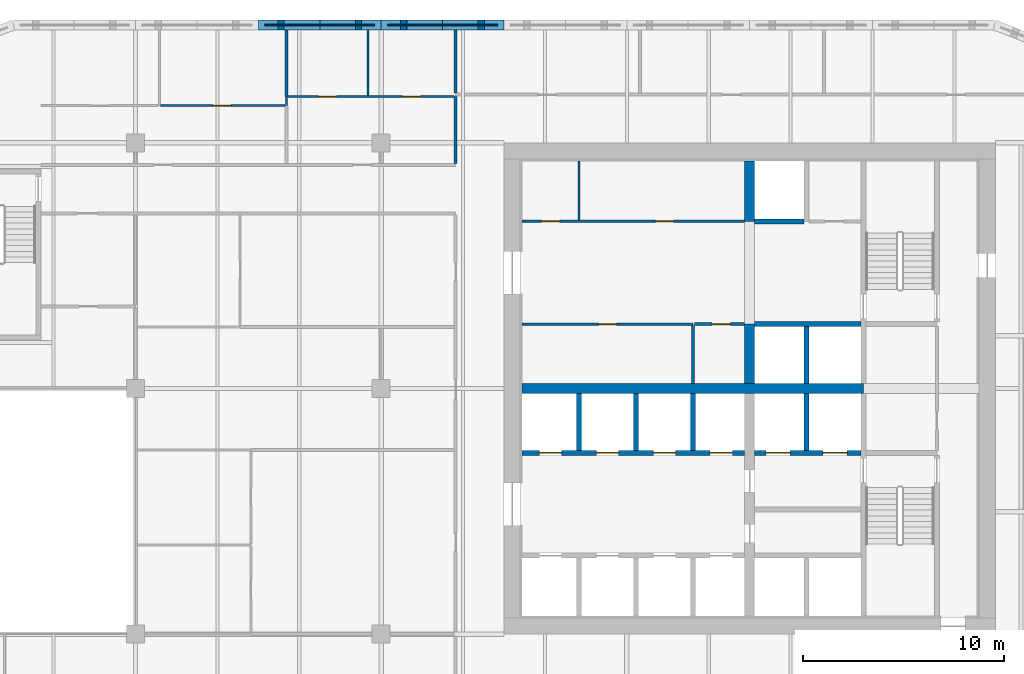
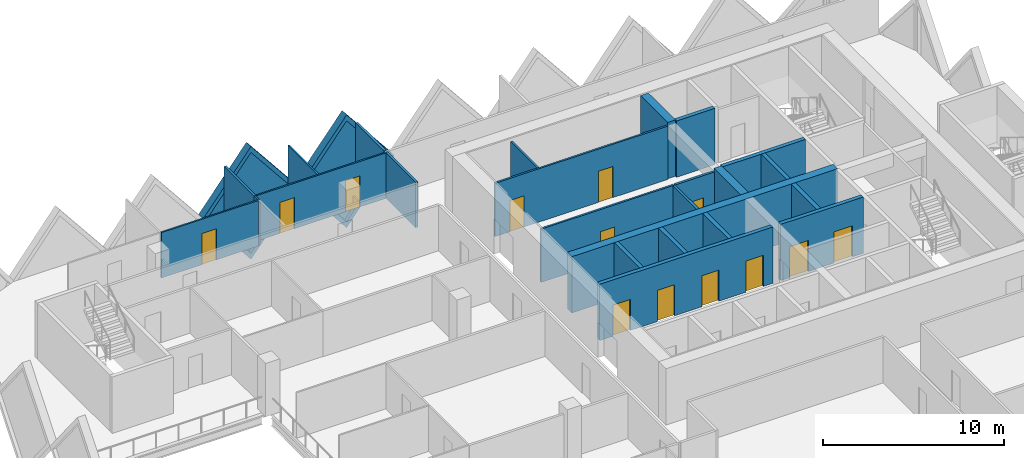
# One storey, part 9 of 18: 26 walls, 13 doors, 2 plates, 15 openings.
"""IFC4 building model written with IfcOpenShell, lengths in metres."""

from ifc_helpers import new_model, si_unit, direction, frame, frame_2d, origin, place, context, subcontext, project, spatial, polyline, rectangle, outline, extrude, faceted_brep, source, transform, mapped, material, layer, layer_set, type_object, element, fill, save


model = new_model("IFC4")

# Units and contexts
model_context = context("Model", 3, precision=1e-05, world=origin(), true_north=direction((0.0, 1.0)))
body_context = subcontext(model_context, "Body", "Model", "MODEL_VIEW")
ifc_project = project(units=[si_unit("LENGTHUNIT", "METRE"), si_unit("AREAUNIT", "SQUARE_METRE"), si_unit("VOLUMEUNIT", "CUBIC_METRE"), si_unit("PLANEANGLEUNIT", "RADIAN"), si_unit("MASSUNIT", "GRAM", prefix="KILO")], contexts=[model_context])

# Site, building, storey
site_placement = place(None, origin())
site = spatial("IfcSite", under=ifc_project, at=site_placement, CompositionType="ELEMENT")
building_placement = place(site_placement, origin())
building = spatial("IfcBuilding", under=site, at=building_placement, Name="Tessera Gate Towers", CompositionType="ELEMENT")
storey_placement = place(building_placement, frame((0.0, 0.0, 95.199951171875)))
storey = spatial("IfcBuildingStorey", under=building, at=storey_placement, Name="L23", CompositionType="ELEMENT", Elevation=95.199951171875)

# Wall, openings, doors
ifc_material_1 = material(Name="Concrete C40/50", Category="concrete")
ifc_layer_1 = layer(ifc_material_1, 0.25)
ifc_layer_set_1 = layer_set([ifc_layer_1], Name="CORE ENCLOSURE WALL 250")
wall_type_1 = type_object("IfcWallType", Name="CORE ENCLOSURE WALL 250", PredefinedType="SOLIDWALL", material=ifc_layer_set_1)
wall_1_placement = place(storey_placement, frame((42.449951171875, 33.39990234375, 0.0), z_axis=(0.0, 0.0, 1.0), x_axis=(-1.0, 0.0, 0.0)))
wall_1 = element("IfcWall", 1, at=wall_1_placement, inside=storey, type_object=wall_type_1, Name="L23 shaft and stair enclosure wall", PredefinedType="SOLIDWALL", context=body_context, shape_type="SweptSolid", body=[
    extrude(rectangle(XDim=11.050048828125, YDim=0.25, at=frame_2d((5.52490234375, 0.0))), origin(), (0.0, 0.0, 1.0), 3.800048828125),
])
shared_shape_1 = source(origin(), body_context, "Body", "SweptSolid", [
    extrude(rectangle(XDim=1.10009765625, YDim=2.10009765625, at=frame_2d((0.550048828125, 1.050048828125))), frame((0.0, 0.135009765625, 0.0), z_axis=(0.0, -1.0, 0.0), x_axis=(1.0, 0.0, 0.0)), (0.0, 0.0, 1.0), 0.27001953125),
])
opening_1_placement = place(wall_1_placement, frame((9.08740234375, 0.0, 0.0)))
opening_1 = element("IfcOpeningElement", 2, at=opening_1_placement, cuts=wall_1, Name="Opening LD-LR5", PredefinedType="OPENING", context=body_context, shape_type="MappedRepresentation", body=[
    mapped(shared_shape_1, transform((0.0, 0.0, 0.0), scale=1.0)),
])
opening_2_placement = place(wall_1_placement, frame((6.262451171875, 0.0, 0.0)))
opening_2 = element("IfcOpeningElement", 3, at=opening_2_placement, cuts=wall_1, Name="Opening LD-LR6", PredefinedType="OPENING", context=body_context, shape_type="MappedRepresentation", body=[
    mapped(shared_shape_1, transform((0.0, 0.0, 0.0), scale=1.0)),
])
opening_3_placement = place(wall_1_placement, frame((3.4375, 0.0, 0.0)))
opening_3 = element("IfcOpeningElement", 4, at=opening_3_placement, cuts=wall_1, Name="Opening LD-LR7", PredefinedType="OPENING", context=body_context, shape_type="MappedRepresentation", body=[
    mapped(shared_shape_1, transform((0.0, 0.0, 0.0), scale=1.0)),
])
opening_4_placement = place(wall_1_placement, frame((0.612548828125, 0.0, 0.0)))
opening_4 = element("IfcOpeningElement", 5, at=opening_4_placement, cuts=wall_1, Name="Opening LD-LR8", PredefinedType="OPENING", context=body_context, shape_type="MappedRepresentation", body=[
    mapped(shared_shape_1, transform((0.0, 0.0, 0.0), scale=1.0)),
])
ifc_material_2 = material(Name="Stainless steel", Category="steel")
door_type_1 = type_object("IfcDoorType", Name="CORE DOOR LD 1100x2100", OperationType="DOUBLE_DOOR_SLIDING", PredefinedType="DOOR", material=ifc_material_2)
shared_shape_2 = source(origin(), body_context, "Body", "SweptSolid", [
    extrude(rectangle(XDim=1.10009765625, YDim=2.10009765625, at=frame_2d((0.550048828125, 1.050048828125))), frame((0.0, 0.02490234375, 0.0), z_axis=(0.0, -1.0, 0.0), x_axis=(1.0, 0.0, 0.0)), (0.0, 0.0, 1.0), 0.050048828125),
])
door_1_placement = place(opening_1_placement, origin())
door_1 = element("IfcDoor", 6, at=door_1_placement, inside=storey, type_object=door_type_1, Name="Landing door LR5 L23", OperationType="DOUBLE_DOOR_SLIDING", OverallHeight=2.10009765625, OverallWidth=1.10009765625, PredefinedType="DOOR", context=body_context, shape_type="MappedRepresentation", body=[
    mapped(shared_shape_2, transform((0.0, 0.0, 0.0), scale=1.0)),
])
fill(opening_1, door_1)
door_2_placement = place(opening_2_placement, origin())
door_2 = element("IfcDoor", 7, at=door_2_placement, inside=storey, type_object=door_type_1, Name="Landing door LR6 L23", OperationType="DOUBLE_DOOR_SLIDING", OverallHeight=2.10009765625, OverallWidth=1.10009765625, PredefinedType="DOOR", context=body_context, shape_type="MappedRepresentation", body=[
    mapped(shared_shape_2, transform((0.0, 0.0, 0.0), scale=1.0)),
])
fill(opening_2, door_2)
door_3_placement = place(opening_3_placement, origin())
door_3 = element("IfcDoor", 8, at=door_3_placement, inside=storey, type_object=door_type_1, Name="Landing door LR7 L23", OperationType="DOUBLE_DOOR_SLIDING", OverallHeight=2.10009765625, OverallWidth=1.10009765625, PredefinedType="DOOR", context=body_context, shape_type="MappedRepresentation", body=[
    mapped(shared_shape_2, transform((0.0, 0.0, 0.0), scale=1.0)),
])
fill(opening_3, door_3)
door_4_placement = place(opening_4_placement, origin())
door_4 = element("IfcDoor", 9, at=door_4_placement, inside=storey, type_object=door_type_1, Name="Landing door LR8 L23", OperationType="DOUBLE_DOOR_SLIDING", OverallHeight=2.10009765625, OverallWidth=1.10009765625, PredefinedType="DOOR", context=body_context, shape_type="MappedRepresentation", body=[
    mapped(shared_shape_2, transform((0.0, 0.0, 0.0), scale=1.0)),
])
fill(opening_4, door_4)

wall_2_placement = place(storey_placement, frame((48.22509765625, 33.39990234375, 0.0), z_axis=(0.0, 0.0, 1.0), x_axis=(-1.0, 0.0, 0.0)))
wall_2 = element("IfcWall", 10, at=wall_2_placement, inside=storey, type_object=wall_type_1, Name="L23 shaft and stair enclosure wall", PredefinedType="SOLIDWALL", context=body_context, shape_type="SweptSolid", body=[
    extrude(rectangle(XDim=5.275146484375, YDim=0.25, at=frame_2d((2.6376953125, 0.0))), origin(), (0.0, 0.0, 1.0), 3.800048828125),
])
shared_shape_3 = source(origin(), body_context, "Body", "SweptSolid", [
    extrude(rectangle(XDim=1.199951171875, YDim=2.10009765625, at=frame_2d((0.60009765625, 1.050048828125))), frame((0.0, 0.135009765625, 0.0), z_axis=(0.0, -1.0, 0.0), x_axis=(1.0, 0.0, 0.0)), (0.0, 0.0, 1.0), 0.27001953125),
])
opening_5_placement = place(wall_2_placement, frame((3.512451171875, 0.0, 0.0)))
opening_5 = element("IfcOpeningElement", 11, at=opening_5_placement, cuts=wall_2, Name="Opening LD-FF1", PredefinedType="OPENING", context=body_context, shape_type="MappedRepresentation", body=[
    mapped(shared_shape_3, transform((0.0, 0.0, 0.0), scale=1.0)),
])
opening_6_placement = place(wall_2_placement, frame((0.6875, 0.0, 0.0)))
opening_6 = element("IfcOpeningElement", 12, at=opening_6_placement, cuts=wall_2, Name="Opening LD-FF2", PredefinedType="OPENING", context=body_context, shape_type="MappedRepresentation", body=[
    mapped(shared_shape_3, transform((0.0, 0.0, 0.0), scale=1.0)),
])
ifc_material_3 = material(Name="Stainless steel", Category="steel")
door_type_2 = type_object("IfcDoorType", Name="CORE DOOR LD1200 1200x2100", OperationType="DOUBLE_DOOR_SLIDING", PredefinedType="DOOR", material=ifc_material_3)
shared_shape_4 = source(origin(), body_context, "Body", "SweptSolid", [
    extrude(rectangle(XDim=1.199951171875, YDim=2.10009765625, at=frame_2d((0.60009765625, 1.050048828125))), frame((0.0, 0.02490234375, 0.0), z_axis=(0.0, -1.0, 0.0), x_axis=(1.0, 0.0, 0.0)), (0.0, 0.0, 1.0), 0.050048828125),
])
door_5_placement = place(opening_5_placement, origin())
door_5 = element("IfcDoor", 13, at=door_5_placement, inside=storey, type_object=door_type_2, Name="Landing door FF1 L23", OperationType="DOUBLE_DOOR_SLIDING", OverallHeight=2.10009765625, OverallWidth=1.199951171875, PredefinedType="DOOR", context=body_context, shape_type="MappedRepresentation", body=[
    mapped(shared_shape_4, transform((0.0, 0.0, 0.0), scale=1.0)),
])
fill(opening_5, door_5)
door_6_placement = place(opening_6_placement, origin())
door_6 = element("IfcDoor", 14, at=door_6_placement, inside=storey, type_object=door_type_2, Name="Landing door FF2 L23", OperationType="DOUBLE_DOOR_SLIDING", OverallHeight=2.10009765625, OverallWidth=1.199951171875, PredefinedType="DOOR", context=body_context, shape_type="MappedRepresentation", body=[
    mapped(shared_shape_4, transform((0.0, 0.0, 0.0), scale=1.0)),
])
fill(opening_6, door_6)

# Walls
wall_3_placement = place(storey_placement, frame((42.949951171875, 39.800048828125, 0.0), z_axis=(0.0, 0.0, 1.0), x_axis=(1.0, 0.0, 0.0)))
element("IfcWall", 15, at=wall_3_placement, inside=storey, type_object=wall_type_1, Name="L23 shaft and stair enclosure wall", PredefinedType="SOLIDWALL", context=body_context, shape_type="SweptSolid", body=[
    extrude(rectangle(XDim=5.275146484375, YDim=0.25, at=frame_2d((2.6376953125, 0.0))), origin(), (0.0, 0.0, 1.0), 3.800048828125),
])
wall_4_placement = place(storey_placement, frame((45.52490234375, 33.52490234375, 0.0), z_axis=(0.0, 0.0, 1.0), x_axis=(0.0, 1.0, 0.0)))
element("IfcWall", 16, at=wall_4_placement, inside=storey, type_object=wall_type_1, Name="L23 shaft and stair enclosure wall", PredefinedType="SOLIDWALL", context=body_context, shape_type="SweptSolid", body=[
    extrude(rectangle(XDim=2.8251953125, YDim=0.25, at=frame_2d((1.41259765625, 0.0))), origin(), (0.0, 0.0, 1.0), 3.800048828125),
])
wall_5_placement = place(storey_placement, frame((45.52490234375, 36.85009765625, 0.0), z_axis=(0.0, 0.0, 1.0), x_axis=(0.0, 1.0, 0.0)))
element("IfcWall", 17, at=wall_5_placement, inside=storey, type_object=wall_type_1, Name="L23 shaft and stair enclosure wall", PredefinedType="SOLIDWALL", context=body_context, shape_type="SweptSolid", body=[
    extrude(rectangle(XDim=2.824951171875, YDim=0.25, at=frame_2d((1.41259765625, 0.0))), origin(), (0.0, 0.0, 1.0), 3.800048828125),
])
for number, where, z_axis, x_axis, name in (
    (18, (34.22509765625, 33.52490234375, 0.0), (0.0, 0.0, 1.0), (0.0, 1.0, 0.0), "L23 shaft and stair enclosure wall"),
    (19, (37.050048828125, 33.52490234375, 0.0), (0.0, 0.0, 1.0), (0.0, 1.0, 0.0), "L23 shaft and stair enclosure wall"),
    (20, (39.875, 33.52490234375, 0.0), (0.0, 0.0, 1.0), (0.0, 1.0, 0.0), "L23 shaft and stair enclosure wall"),
):
    element("IfcWall", number, at=place(storey_placement, frame(where, z_axis=z_axis, x_axis=x_axis)), inside=storey, type_object=wall_type_1, Name=name, PredefinedType="SOLIDWALL", context=body_context, shape_type="SweptSolid", body=[
        extrude(rectangle(XDim=2.8251953125, YDim=0.25, at=frame_2d((1.41259765625, 0.0))), origin(), (0.0, 0.0, 1.0), 3.800048828125),
    ])
wall_6_placement = place(storey_placement, frame((42.949951171875, 44.89990234375, 0.0), z_axis=(0.0, 0.0, 1.0), x_axis=(1.0, 0.0, 0.0)))
element("IfcWall", 21, at=wall_6_placement, inside=storey, type_object=wall_type_1, Name="L23 shaft and stair enclosure wall", PredefinedType="SOLIDWALL", context=body_context, shape_type="SweptSolid", body=[
    extrude(rectangle(XDim=2.449951171875, YDim=0.25, at=frame_2d((1.22509765625, 0.0))), origin(), (0.0, 0.0, 1.0), 3.800048828125),
])

# Wall, openings, doors
ifc_material_4 = material(Name="Gypsum board on steel studs", Category="steel")
ifc_layer_2 = layer(ifc_material_4, 0.1201171875)
ifc_layer_set_2 = layer_set([ifc_layer_2], Name="CORE PARTITION 120")
wall_type_2 = type_object("IfcWallType", Name="CORE PARTITION 120", PredefinedType="PARTITIONING", material=ifc_layer_set_2)
wall_7_placement = place(storey_placement, frame((31.39990234375, 44.89990234375, 0.0), z_axis=(0.0, 0.0, 1.0), x_axis=(1.0, 0.0, 0.0)))
wall_7 = element("IfcWall", 22, at=wall_7_placement, inside=storey, type_object=wall_type_2, Name="L23 core partition", PredefinedType="PARTITIONING", context=body_context, shape_type="SweptSolid", body=[
    extrude(rectangle(XDim=11.050048828125, YDim=0.1201171875, at=frame_2d((5.52490234375, 0.0))), origin(), (0.0, 0.0, 1.0), 3.60009765625),
])
shared_shape_5 = source(origin(), body_context, "Body", "SweptSolid", [
    extrude(rectangle(XDim=0.89990234375, YDim=2.10009765625, at=frame_2d((0.449951171875, 1.050048828125))), frame((0.0, 0.070068359375, 0.0), z_axis=(0.0, -1.0, 0.0), x_axis=(1.0, 0.0, 0.0)), (0.0, 0.0, 1.0), 0.14013671875),
])
opening_7_placement = place(wall_7_placement, frame((0.96240234375, 0.0, 0.0)))
opening_7 = element("IfcOpeningElement", 23, at=opening_7_placement, cuts=wall_7, Name="Opening RD-T1-15-07", PredefinedType="OPENING", context=body_context, shape_type="MappedRepresentation", body=[
    mapped(shared_shape_5, transform((0.0, 0.0, 0.0), scale=1.0)),
])
opening_8_placement = place(wall_7_placement, frame((6.612548828125, 0.0, 0.0)))
opening_8 = element("IfcOpeningElement", 24, at=opening_8_placement, cuts=wall_7, Name="Opening RD-T1-15-08", PredefinedType="OPENING", context=body_context, shape_type="MappedRepresentation", body=[
    mapped(shared_shape_5, transform((0.0, 0.0, 0.0), scale=1.0)),
])
ifc_material_5 = material(Name="Hollow steel fire door", Category="steel")
door_type_3 = type_object("IfcDoorType", Name="CORE DOOR RD 900x2100", OperationType="NOTDEFINED", PredefinedType="DOOR", material=ifc_material_5)
shared_shape_6 = source(origin(), body_context, "Body", "SweptSolid", [
    extrude(rectangle(XDim=0.89990234375, YDim=2.10009765625, at=frame_2d((0.449951171875, 1.050048828125))), frame((0.0, 0.02490234375, 0.0), z_axis=(0.0, -1.0, 0.0), x_axis=(1.0, 0.0, 0.0)), (0.0, 0.0, 1.0), 0.050048828125),
])
door_7_placement = place(opening_7_placement, origin())
door_7 = element("IfcDoor", 25, at=door_7_placement, inside=storey, type_object=door_type_3, Name="Core room door", OperationType="SINGLE_SWING_LEFT", OverallHeight=2.10009765625, OverallWidth=0.89990234375, PredefinedType="DOOR", context=body_context, shape_type="MappedRepresentation", body=[
    mapped(shared_shape_6, transform((0.0, 0.0, 0.0), scale=1.0)),
])
fill(opening_7, door_7)
door_8_placement = place(opening_8_placement, origin())
door_8 = element("IfcDoor", 26, at=door_8_placement, inside=storey, type_object=door_type_3, Name="Core room door", OperationType="SINGLE_SWING_RIGHT", OverallHeight=2.10009765625, OverallWidth=0.89990234375, PredefinedType="DOOR", context=body_context, shape_type="MappedRepresentation", body=[
    mapped(shared_shape_6, transform((0.0, 0.0, 0.0), scale=1.0)),
])
fill(opening_8, door_8)

# Wall, opening, door
wall_8_placement = place(storey_placement, frame((39.875, 39.800048828125, 0.0), z_axis=(0.0, 0.0, 1.0), x_axis=(-1.0, 0.0, 0.0)))
wall_8 = element("IfcWall", 27, at=wall_8_placement, inside=storey, type_object=wall_type_2, Name="L23 core partition", PredefinedType="PARTITIONING", context=body_context, shape_type="SweptSolid", body=[
    extrude(rectangle(XDim=8.47509765625, YDim=0.1201171875, at=frame_2d((4.237548828125, 0.0))), origin(), (0.0, 0.0, 1.0), 3.60009765625),
])
opening_9_placement = place(wall_8_placement, frame((3.78759765625, 0.0, 0.0)))
opening_9 = element("IfcOpeningElement", 28, at=opening_9_placement, cuts=wall_8, Name="Opening RD-T1-15-09", PredefinedType="OPENING", context=body_context, shape_type="MappedRepresentation", body=[
    mapped(shared_shape_5, transform((0.0, 0.0, 0.0), scale=1.0)),
])
door_9_placement = place(opening_9_placement, origin())
door_9 = element("IfcDoor", 29, at=door_9_placement, inside=storey, type_object=door_type_3, Name="Core room door", OperationType="SINGLE_SWING_RIGHT", OverallHeight=2.10009765625, OverallWidth=0.89990234375, PredefinedType="DOOR", context=body_context, shape_type="MappedRepresentation", body=[
    mapped(shared_shape_6, transform((0.0, 0.0, 0.0), scale=1.0)),
])
fill(opening_9, door_9)

# Walls
wall_9_placement = place(storey_placement, frame((34.22509765625, 44.9599609375, 0.0), z_axis=(0.0, 0.0, 1.0), x_axis=(0.0, 1.0, 0.0)))
element("IfcWall", 30, at=wall_9_placement, inside=storey, type_object=wall_type_2, Name="L23 core partition", PredefinedType="PARTITIONING", context=body_context, shape_type="SweptSolid", body=[
    extrude(rectangle(XDim=2.93994140625, YDim=0.1201171875, at=frame_2d((1.469970703125, 0.0))), origin(), (0.0, 0.0, 1.0), 3.60009765625),
])
ifc_material_6 = material(Name="Concrete C60/75", Category="concrete")
ifc_layer_3 = layer(ifc_material_6, 0.5)
ifc_layer_set_3 = layer_set([ifc_layer_3], Name="CORE SPINE WALL 500 C60/75")
wall_type_3 = type_object("IfcWallType", Name="CORE SPINE WALL 500 C60/75", PredefinedType="SHEAR", material=ifc_layer_set_3)
wall_10_placement = place(storey_placement, frame((31.39990234375, 36.60009765625, 0.0), z_axis=(0.0, 0.0, 1.0), x_axis=(1.0, 0.0, 0.0)))
element("IfcWall", 31, at=wall_10_placement, inside=storey, type_object=wall_type_3, Name="Core wall spine L23", PredefinedType="SHEAR", context=body_context, shape_type="SweptSolid", body=[
    extrude(rectangle(XDim=16.9501953125, YDim=0.5, at=frame_2d((8.47509765625, 0.0))), origin(), (0.0, 0.0, 1.0), 3.800048828125),
])
wall_11_placement = place(storey_placement, frame((42.699951171875, 36.85009765625, 0.0), z_axis=(0.0, 0.0, 1.0), x_axis=(0.0, 1.0, 0.0)))
element("IfcWall", 32, at=wall_11_placement, inside=storey, type_object=wall_type_3, Name="Core wall spine L23", PredefinedType="SHEAR", context=body_context, shape_type="SweptSolid", body=[
    extrude(rectangle(XDim=2.949951171875, YDim=0.5, at=frame_2d((1.47509765625, 0.0))), origin(), (0.0, 0.0, 1.0), 3.800048828125),
])
wall_12_placement = place(storey_placement, frame((42.699951171875, 44.89990234375, 0.0), z_axis=(0.0, 0.0, 1.0), x_axis=(0.0, 1.0, 0.0)))
element("IfcWall", 33, at=wall_12_placement, inside=storey, type_object=wall_type_3, Name="Core wall spine L23", PredefinedType="SHEAR", context=body_context, shape_type="SweptSolid", body=[
    extrude(rectangle(XDim=3.0, YDim=0.5, at=frame_2d((1.5, 0.0))), origin(), (0.0, 0.0, 1.0), 3.800048828125),
])
ifc_material_7 = material(Name="Gypsum board on steel studs, mineral wool", Category="steel")
ifc_layer_4 = layer(ifc_material_7, 0.14990234375)
ifc_layer_set_4 = layer_set([ifc_layer_4], Name="CORRIDOR WALL 150")
wall_type_4 = type_object("IfcWallType", Name="CORRIDOR WALL 150", PredefinedType="PARTITIONING", material=ifc_layer_set_4)
wall_13_placement = place(storey_placement, frame((28.10009765625, 47.77587890625, 0.0), z_axis=(0.0, 0.0, 1.0), x_axis=(0.0, 1.0, 0.0)))
element("IfcWall", 34, at=wall_13_placement, inside=storey, type_object=wall_type_4, Name="T1-L23-PW-044", PredefinedType="PARTITIONING", context=body_context, shape_type="SweptSolid", body=[
    extrude(rectangle(XDim=3.32421875, YDim=0.14990234375, at=frame_2d((1.662109375, 0.0))), origin(), (0.0, 0.0, 1.0), 3.067138671875),
])

# Wall, opening, door
ifc_material_8 = material(Name="Glass", Category="glass")
ifc_layer_5 = layer(ifc_material_8, 0.10009765625)
ifc_layer_set_5 = layer_set([ifc_layer_5], Name="GLAZED PARTITION 100")
wall_type_5 = type_object("IfcWallType", Name="GLAZED PARTITION 100", PredefinedType="PARTITIONING", material=ifc_layer_set_5)
wall_14_placement = place(storey_placement, frame((13.444580078125, 50.64990234375, 0.0), z_axis=(0.0, 0.0, 1.0), x_axis=(1.0, 0.0, 0.0)))
wall_14 = element("IfcWall", 35, at=wall_14_placement, inside=storey, type_object=wall_type_5, Name="T1-L23-PW-049", PredefinedType="PARTITIONING", context=body_context, shape_type="SweptSolid", body=[
    extrude(rectangle(XDim=6.179443359375, YDim=0.10009765625, at=frame_2d((3.08984375, 0.0))), origin(), (0.0, 0.0, 1.0), 3.067138671875),
])
shared_shape_7 = source(origin(), body_context, "Body", "SweptSolid", [
    extrude(rectangle(XDim=0.89990234375, YDim=2.10009765625, at=frame_2d((0.449951171875, 1.050048828125))), frame((0.0, 0.06005859375, 0.0), z_axis=(0.0, -1.0, 0.0), x_axis=(1.0, 0.0, 0.0)), (0.0, 0.0, 1.0), 0.1201171875),
])
opening_10_placement = place(wall_14_placement, frame((2.60009765625, 0.0, 0.0)))
opening_10 = element("IfcOpeningElement", 36, at=opening_10_placement, cuts=wall_14, Name="Opening D690-A08-09", PredefinedType="OPENING", context=body_context, shape_type="MappedRepresentation", body=[
    mapped(shared_shape_7, transform((0.0, 0.0, 0.0), scale=1.0)),
])
ifc_material_9 = material(Name="Glass in aluminium frame", Category="aluminium")
door_type_4 = type_object("IfcDoorType", Name="GLAZED DOOR 900 NOT RATED", OperationType="NOTDEFINED", PredefinedType="DOOR", material=ifc_material_9)
door_10_placement = place(opening_10_placement, origin())
door_10 = element("IfcDoor", 37, at=door_10_placement, inside=storey, type_object=door_type_4, Name="T1-L23-PD-017", OperationType="SINGLE_SWING_LEFT", OverallHeight=2.10009765625, OverallWidth=0.89990234375, PredefinedType="DOOR", context=body_context, shape_type="MappedRepresentation", body=[
    mapped(shared_shape_6, transform((0.0, 0.0, 0.0), scale=1.0)),
])
fill(opening_10, door_10)

# Wall
wall_15_placement = place(storey_placement, frame((19.699951171875, 50.65087890625, 0.0), z_axis=(0.0, 0.0, 1.0), x_axis=(0.0, 1.0, 0.0)))
element("IfcWall", 38, at=wall_15_placement, inside=storey, type_object=wall_type_5, Name="T1-L23-PW-050", PredefinedType="PARTITIONING", context=body_context, shape_type="SweptSolid", body=[
    extrude(rectangle(XDim=0.4482421875, YDim=0.10009765625, at=frame_2d((0.22412109375, 0.0))), origin(), (0.0, 0.0, 1.0), 3.067138671875),
])

# Wall, openings, doors
ifc_material_10 = material(Name="Gypsum board on steel studs", Category="steel")
ifc_layer_6 = layer(ifc_material_10, 0.10009765625)
ifc_layer_set_6 = layer_set([ifc_layer_6], Name="PARTITION 100")
wall_type_6 = type_object("IfcWallType", Name="PARTITION 100", PredefinedType="PARTITIONING", material=ifc_layer_set_6)
wall_16_placement = place(storey_placement, frame((19.77587890625, 51.10009765625, 0.0), z_axis=(0.0, 0.0, 1.0), x_axis=(1.0, 0.0, 0.0)))
wall_16 = element("IfcWall", 39, at=wall_16_placement, inside=storey, type_object=wall_type_6, Name="T1-L23-PW-052", PredefinedType="PARTITIONING", context=body_context, shape_type="SweptSolid", body=[
    extrude(rectangle(XDim=8.248046875, YDim=0.10009765625, at=frame_2d((4.1240234375, 0.0))), origin(), (0.0, 0.0, 1.0), 3.067138671875),
])
opening_11_placement = place(wall_16_placement, frame((1.5, 0.0, 0.0)))
opening_11 = element("IfcOpeningElement", 40, at=opening_11_placement, cuts=wall_16, Name="Opening D190-A08-01", PredefinedType="OPENING", context=body_context, shape_type="MappedRepresentation", body=[
    mapped(shared_shape_7, transform((0.0, 0.0, 0.0), scale=1.0)),
])
opening_12_placement = place(wall_16_placement, frame((5.681884765625, 0.0, 0.0)))
opening_12 = element("IfcOpeningElement", 41, at=opening_12_placement, cuts=wall_16, Name="Opening D190-A08-02", PredefinedType="OPENING", context=body_context, shape_type="MappedRepresentation", body=[
    mapped(shared_shape_7, transform((0.0, 0.0, 0.0), scale=1.0)),
])
ifc_material_11 = material(Name="Timber door leaf in steel frame", Category="steel")
door_type_5 = type_object("IfcDoorType", Name="INTERNAL DOOR 900 NOT RATED", OperationType="NOTDEFINED", PredefinedType="DOOR", material=ifc_material_11)
door_11_placement = place(opening_11_placement, origin())
door_11 = element("IfcDoor", 42, at=door_11_placement, inside=storey, type_object=door_type_5, Name="T1-L23-PD-002", OperationType="SINGLE_SWING_LEFT", OverallHeight=2.10009765625, OverallWidth=0.89990234375, PredefinedType="DOOR", context=body_context, shape_type="MappedRepresentation", body=[
    mapped(shared_shape_6, transform((0.0, 0.0, 0.0), scale=1.0)),
])
fill(opening_11, door_11)
door_12_placement = place(opening_12_placement, origin())
door_12 = element("IfcDoor", 43, at=door_12_placement, inside=storey, type_object=door_type_5, Name="T1-L23-PD-003", OperationType="SINGLE_SWING_LEFT", OverallHeight=2.10009765625, OverallWidth=0.89990234375, PredefinedType="DOOR", context=body_context, shape_type="MappedRepresentation", body=[
    mapped(shared_shape_6, transform((0.0, 0.0, 0.0), scale=1.0)),
])
fill(opening_12, door_12)

# Walls
wall_17_placement = place(storey_placement, frame((23.758056640625, 51.15087890625, 0.0), z_axis=(0.0, 0.0, 1.0), x_axis=(0.0, 1.0, 0.0)))
element("IfcWall", 44, at=wall_17_placement, inside=storey, type_object=wall_type_6, Name="T1-L23-PW-053", PredefinedType="PARTITIONING", context=body_context, shape_type="SweptSolid", body=[
    extrude(rectangle(XDim=3.2490234375, YDim=0.10009765625, at=frame_2d((1.62451171875, 0.0))), origin(), (0.0, 0.0, 1.0), 3.067138671875),
])
ifc_material_12 = material(Name="Gypsum board on steel studs", Category="steel")
ifc_layer_7 = layer(ifc_material_12, 0.14990234375)
ifc_layer_set_7 = layer_set([ifc_layer_7], Name="SERVICE ROOM WALL 150")
wall_type_7 = type_object("IfcWallType", Name="SERVICE ROOM WALL 150", PredefinedType="PARTITIONING", material=ifc_layer_set_7)
wall_18_placement = place(storey_placement, frame((39.875, 36.85009765625, 0.0), z_axis=(0.0, 0.0, 1.0), x_axis=(0.0, 1.0, 0.0)))
element("IfcWall", 45, at=wall_18_placement, inside=storey, type_object=wall_type_7, Name="L23 service room wall", PredefinedType="PARTITIONING", context=body_context, shape_type="SweptSolid", body=[
    extrude(rectangle(XDim=2.889892578125, YDim=0.14990234375, at=frame_2d((1.44482421875, 0.0))), origin(), (0.0, 0.0, 1.0), 3.60009765625),
])

# Wall, opening, door
wall_19_placement = place(storey_placement, frame((42.449951171875, 39.800048828125, 0.0), z_axis=(0.0, 0.0, 1.0), x_axis=(-1.0, 0.0, 0.0)))
wall_19 = element("IfcWall", 46, at=wall_19_placement, inside=storey, type_object=wall_type_7, Name="L23 service room wall", PredefinedType="PARTITIONING", context=body_context, shape_type="SweptSolid", body=[
    extrude(rectangle(XDim=2.5, YDim=0.14990234375, at=frame_2d((1.25, 0.0))), origin(), (0.0, 0.0, 1.0), 3.60009765625),
])
shared_shape_8 = source(origin(), body_context, "Body", "SweptSolid", [
    extrude(rectangle(XDim=0.89990234375, YDim=2.10009765625, at=frame_2d((0.449951171875, 1.050048828125))), frame((0.0, 0.0849609375, 0.0), z_axis=(0.0, -1.0, 0.0), x_axis=(1.0, 0.0, 0.0)), (0.0, 0.0, 1.0), 0.169921875),
])
opening_13_placement = place(wall_19_placement, frame((0.71240234375, 0.0, 0.0)))
opening_13 = element("IfcOpeningElement", 47, at=opening_13_placement, cuts=wall_19, Name="Opening RD-T1-15-12", PredefinedType="OPENING", context=body_context, shape_type="MappedRepresentation", body=[
    mapped(shared_shape_8, transform((0.0, 0.0, 0.0), scale=1.0)),
])
door_13_placement = place(opening_13_placement, origin())
door_13 = element("IfcDoor", 48, at=door_13_placement, inside=storey, type_object=door_type_3, Name="Core room door", OperationType="SINGLE_SWING_LEFT", OverallHeight=2.10009765625, OverallWidth=0.89990234375, PredefinedType="DOOR", context=body_context, shape_type="MappedRepresentation", body=[
    mapped(shared_shape_6, transform((0.0, 0.0, 0.0), scale=1.0)),
])
fill(opening_13, door_13)

# Walls
ifc_material_13 = material(Name="Gypsum board on steel studs, mineral wool", Category="steel")
ifc_layer_8 = layer(ifc_material_13, 0.14990234375)
ifc_layer_set_8 = layer_set([ifc_layer_8], Name="TENANCY WALL 150")
wall_type_8 = type_object("IfcWallType", Name="TENANCY WALL 150", PredefinedType="PARTITIONING", material=ifc_layer_set_8)
wall_20_placement = place(storey_placement, frame((19.699951171875, 51.10009765625, 0.0), z_axis=(0.0, 0.0, 1.0), x_axis=(0.0, 1.0, 0.0)))
element("IfcWall", 49, at=wall_20_placement, inside=storey, type_object=wall_type_8, Name="T1-L23-PW-051", PredefinedType="PARTITIONING", context=body_context, shape_type="SweptSolid", body=[
    extrude(rectangle(XDim=3.2998046875, YDim=0.14990234375, at=frame_2d((1.64990234375, 0.0))), origin(), (0.0, 0.0, 1.0), 3.067138671875),
])
wall_21_placement = place(storey_placement, frame((28.10009765625, 51.27587890625, 0.0), z_axis=(0.0, 0.0, 1.0), x_axis=(0.0, 1.0, 0.0)))
element("IfcWall", 50, at=wall_21_placement, inside=storey, type_object=wall_type_8, Name="T1-L23-PW-055", PredefinedType="PARTITIONING", context=body_context, shape_type="SweptSolid", body=[
    extrude(rectangle(XDim=3.1240234375, YDim=0.14990234375, at=frame_2d((1.56201171875, 0.0))), origin(), (0.0, 0.0, 1.0), 3.067138671875),
])

# Wall, opening, plate
ifc_material_14 = material(Name="Precast concrete C60/75 white", Category="concrete")
ifc_layer_9 = layer(ifc_material_14, 0.5)
ifc_layer_set_9 = layer_set([ifc_layer_9], Name="TS1 tessera")
wall_type_9 = type_object("IfcWallType", Name="TS1 tessera", PredefinedType="SOLIDWALL", material=ifc_layer_set_9)
shared_shape_9 = source(origin(), body_context, "Body", "Brep", [
    faceted_brep([(3.050048828125, -0.25, 0.0), (6.099853515625, -0.25, 3.7998046875), (6.099853515625, -0.25, 3.80029296875), (3.050048828125, -0.25, 7.60009765625), (0.0, -0.25, 3.800048828125), (0.0, 0.25, 3.800048828125), (3.050048828125, 0.25, 7.60009765625), (6.099853515625, 0.25, 3.80029296875), (6.099853515625, 0.25, 3.7998046875), (3.050048828125, 0.25, 0.0)], [[[0, 1, 2, 3, 4]], [[5, 6, 7, 8, 9]], [[9, 8, 1, 0]], [[7, 6, 3, 2]], [[6, 5, 4, 3]], [[5, 9, 0, 4]], [[1, 8, 7, 2]]]),
])
wall_22_placement = place(storey_placement, frame((24.39990234375, 54.64990234375, -3.800048828125), z_axis=(0.0, 0.0, 1.0), x_axis=(-1.0, 0.0, 0.0)))
wall_22 = element("IfcWall", 51, at=wall_22_placement, inside=storey, type_object=wall_type_9, Name="Precast tessera T1 TS1-0383", PredefinedType="SOLIDWALL", context=body_context, shape_type="MappedRepresentation", body=[
    mapped(shared_shape_9, transform((0.0, 0.0, 0.0), scale=1.0)),
])
shared_shape_10 = source(origin(), body_context, "Body", "SweptSolid", [
    extrude(outline(polyline([(3.050048828125, 0.3994140625), (5.779541015625, 3.800048828125), (3.050048828125, 7.20068359375), (0.320556640625, 3.800048828125), (3.050048828125, 0.3994140625)])), frame((0.0, 0.260009765625, 0.0), z_axis=(0.0, -1.0, 0.0), x_axis=(1.0, 0.0, 0.0)), (0.0, 0.0, 1.0), 0.52001953125),
])
opening_14_placement = place(wall_22_placement, origin())
opening_14 = element("IfcOpeningElement", 52, at=opening_14_placement, cuts=wall_22, Name="Opening T1-PL2-0775", PredefinedType="OPENING", context=body_context, shape_type="MappedRepresentation", body=[
    mapped(shared_shape_10, transform((0.0, 0.0, 0.0), scale=1.0)),
])
ifc_material_15 = material(Name="Low-e laminated glass", Category="glass")
ifc_layer_10 = layer(ifc_material_15, 0.06005859375)
ifc_layer_set_10 = layer_set([ifc_layer_10], Name="PL2 rhombic pane")
plate_type = type_object("IfcPlateType", Name="PL2 rhombic pane", PredefinedType="SHEET", material=ifc_layer_set_10)
shared_shape_11 = source(origin(), body_context, "Body", "SweptSolid", [
    extrude(outline(polyline([(3.050048828125, 0.3994140625), (5.779541015625, 3.800048828125), (3.050048828125, 7.20068359375), (0.320556640625, 3.800048828125), (3.050048828125, 0.3994140625)])), frame((0.0, 0.030029296875, 0.0), z_axis=(0.0, -1.0, 0.0), x_axis=(1.0, 0.0, 0.0)), (0.0, 0.0, 1.0), 0.06005859375),
])
plate_1_placement = place(opening_14_placement, origin())
plate_1 = element("IfcPlate", 53, at=plate_1_placement, inside=storey, type_object=plate_type, Name="Glass pane T1 PL2-0775", PredefinedType="SHEET", context=body_context, shape_type="MappedRepresentation", body=[
    mapped(shared_shape_11, transform((0.0, 0.0, 0.0), scale=1.0)),
])
fill(opening_14, plate_1)

shared_shape_12 = source(origin(), body_context, "Body", "SweptSolid", [
    extrude(outline(polyline([(3.050048828125, 0.0), (6.10009765625, 3.800048828125), (3.050048828125, 7.60009765625), (0.0, 3.800048828125), (3.050048828125, 0.0)])), frame((0.0, 0.25, 0.0), z_axis=(0.0, -1.0, 0.0), x_axis=(1.0, 0.0, 0.0)), (0.0, 0.0, 1.0), 0.5),
])
wall_23_placement = place(storey_placement, frame((30.5, 54.64990234375, -3.800048828125), z_axis=(0.0, 0.0, 1.0), x_axis=(-1.0, 0.0, 0.0)))
wall_23 = element("IfcWall", 54, at=wall_23_placement, inside=storey, type_object=wall_type_9, Name="Precast tessera T1 TS1-0382", PredefinedType="SOLIDWALL", context=body_context, shape_type="MappedRepresentation", body=[
    mapped(shared_shape_12, transform((0.0, 0.0, 0.0), scale=1.0)),
])
opening_15_placement = place(wall_23_placement, origin())
opening_15 = element("IfcOpeningElement", 55, at=opening_15_placement, cuts=wall_23, Name="Opening T1-PL2-0774", PredefinedType="OPENING", context=body_context, shape_type="MappedRepresentation", body=[
    mapped(shared_shape_10, transform((0.0, 0.0, 0.0), scale=1.0)),
])
plate_2_placement = place(opening_15_placement, origin())
plate_2 = element("IfcPlate", 56, at=plate_2_placement, inside=storey, type_object=plate_type, Name="Glass pane T1 PL2-0774", PredefinedType="SHEET", context=body_context, shape_type="MappedRepresentation", body=[
    mapped(shared_shape_11, transform((0.0, 0.0, 0.0), scale=1.0)),
])
fill(opening_15, plate_2)

save(model, "model.ifc")
